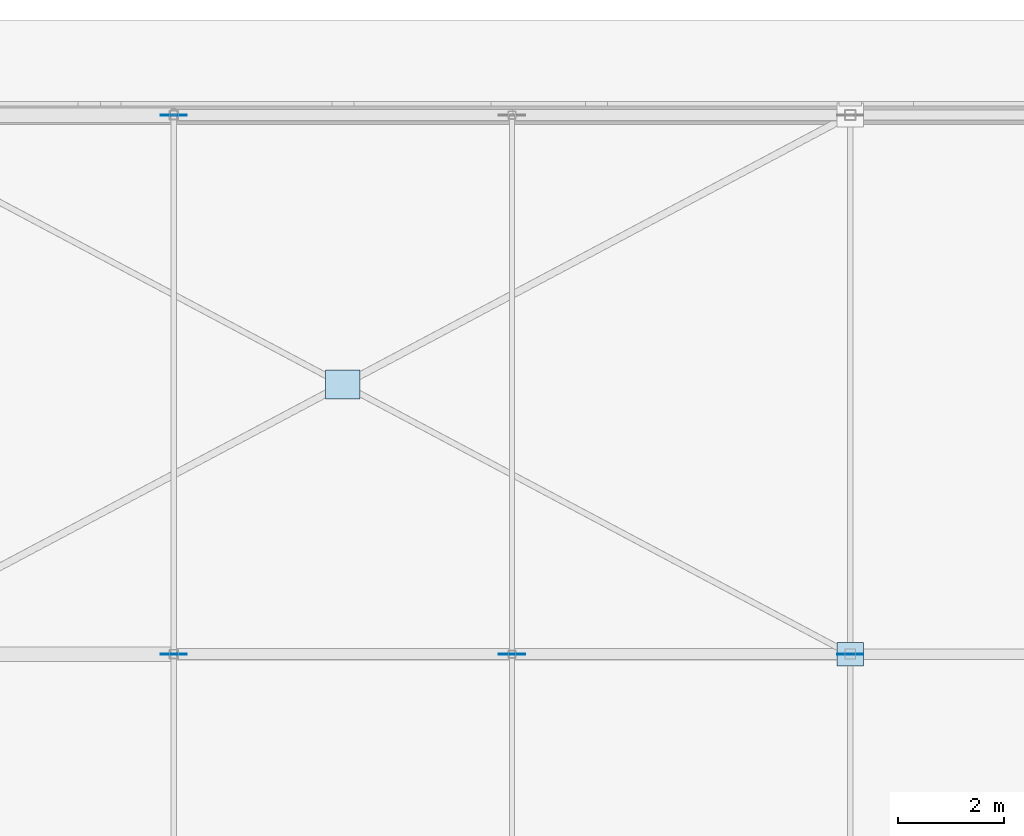
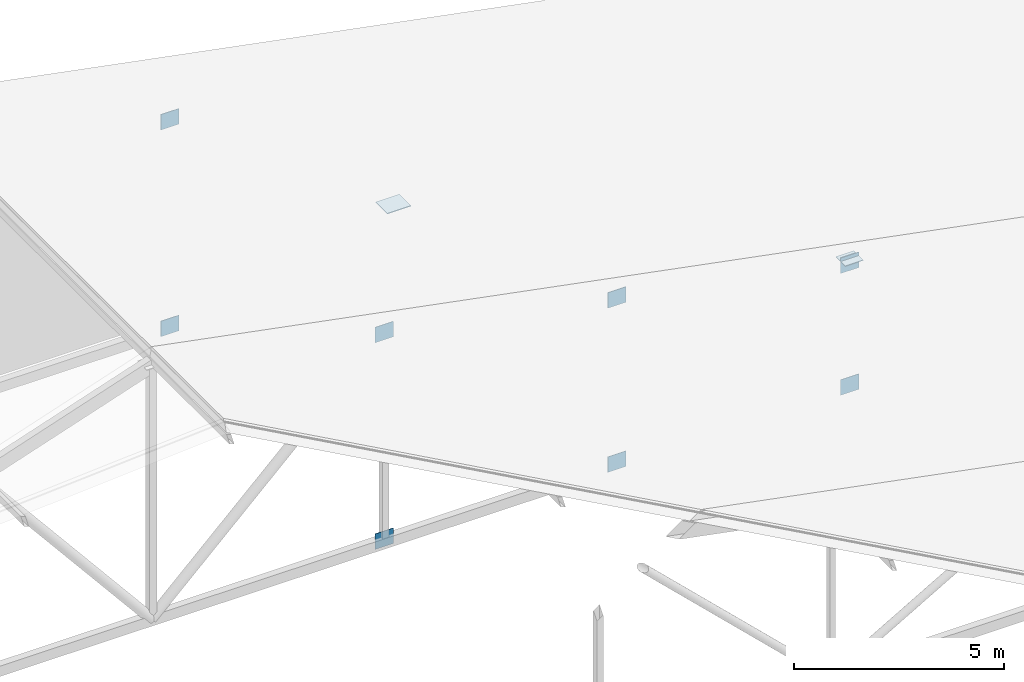
# One storey, part 164 of 200: 10 plates.
"""IFC4 building model written with IfcOpenShell, lengths in metres."""

from ifc_helpers import new_model, si_unit, direction, frame, origin, origin_2d, place, context, subcontext, project, spatial, rectangle, extrude, material, layer, layer_set, type_object, element, save


model = new_model("IFC4")

# Units and contexts
model_context = context("Model", 3, precision=1e-05, world=origin(), true_north=direction((0.0, 1.0)))
body_context = subcontext(model_context, "Body", "Model", "MODEL_VIEW")
ifc_project = project(units=[si_unit("LENGTHUNIT", "METRE"), si_unit("AREAUNIT", "SQUARE_METRE"), si_unit("VOLUMEUNIT", "CUBIC_METRE"), si_unit("PLANEANGLEUNIT", "RADIAN"), si_unit("MASSUNIT", "GRAM", prefix="KILO")], contexts=[model_context])

# Site, building, storey
site_placement = place(None, origin())
site = spatial("IfcSite", under=ifc_project, at=site_placement, CompositionType="ELEMENT")
building_placement = place(site_placement, origin())
building = spatial("IfcBuilding", under=site, at=building_placement, Name="Vondelvale Polytechnic", CompositionType="ELEMENT")
storey_placement = place(building_placement, frame((0.0, 0.0, 13.800048828125)))
storey = spatial("IfcBuildingStorey", under=building, at=storey_placement, Name="L03", CompositionType="ELEMENT", Elevation=13.800048828125)

# Plates
ifc_material = material(Name="Steel Grade 350 (fy = 340 MPa)", Category="steel")
ifc_layer_1 = layer(ifc_material, 0.01611328125)
ifc_layer_set_1 = layer_set([ifc_layer_1], Name="PLATE-GUSSET-16")
plate_type_1 = type_object("IfcPlateType", Name="PLATE-GUSSET-16", PredefinedType="USERDEFINED", material=ifc_layer_set_1)
for number, where, z_axis, x_axis, name in (
    (1, (16.0, 112.199951171875, 5.44189453125), (0.0, 0.0, 1.0), (1.0, 0.0, 0.0), "ROOF TRUSS top chord gusset node plate 3"),
    (2, (16.0, 112.199951171875, -0.56494140625), (0.0, 0.0, 1.0), (1.0, 0.0, 0.0), "ROOF TRUSS bottom chord gusset node plate 3"),
    (3, (22.39990234375, 112.199951171875, 4.20849609375), (0.0, 0.0, 1.0), (1.0, 0.0, 0.0), "ROOF TRUSS top chord gusset node plate 4"),
    (4, (22.39990234375, 112.199951171875, -0.56494140625), (0.0, 0.0, 1.0), (1.0, 0.0, 0.0), "ROOF TRUSS bottom chord gusset node plate 4"),
    (5, (28.800048828125, 112.199951171875, 2.97509765625), (0.0, 0.0, 1.0), (1.0, 0.0, 0.0), "ROOF TRUSS top chord gusset node plate 5"),
    (6, (28.800048828125, 112.199951171875, -0.56494140625), (0.0, 0.0, 1.0), (1.0, 0.0, 0.0), "ROOF TRUSS bottom chord gusset node plate 5"),
    (7, (16.0, 122.39990234375, 5.44189453125), (0.0, 0.0, 1.0), (1.0, 0.0, 0.0), "ROOF TRUSS top chord gusset node plate 3"),
    (8, (16.0, 122.39990234375, -0.56494140625), (0.0, 0.0, 1.0), (1.0, 0.0, 0.0), "ROOF TRUSS bottom chord gusset node plate 3"),
):
    element("IfcPlate", number, at=place(storey_placement, frame(where, z_axis=z_axis, x_axis=x_axis)), inside=storey, type_object=plate_type_1, Name=name, ObjectType="GUSSET_PLATE", PredefinedType="USERDEFINED", context=body_context, shape_type="SweptSolid", body=[
        extrude(rectangle(XDim=0.5, YDim=0.01611328125, at=origin_2d()), origin(), (0.0, 0.0, 1.0), 0.449951171875),
    ])
plate_1_placement = place(storey_placement, frame((28.800048828125, 112.199951171875, 3.31201171875), z_axis=(0.0, 0.0, 1.0), x_axis=(1.0, 0.0, 0.0)))
element("IfcPlate", 9, at=plate_1_placement, inside=storey, type_object=plate_type_1, Name="Workshop roof brace end gusset plate 7-3", ObjectType="GUSSET_PLATE", PredefinedType="USERDEFINED", context=body_context, shape_type="SweptSolid", body=[
    extrude(rectangle(XDim=0.5, YDim=0.449951171875, at=origin_2d()), origin(), (0.0, 0.0, 1.0), 0.01611328125),
])
ifc_layer_2 = layer(ifc_material, 0.02001953125)
ifc_layer_set_2 = layer_set([ifc_layer_2], Name="PLATE-GUSSET-20")
plate_type_2 = type_object("IfcPlateType", Name="PLATE-GUSSET-20", PredefinedType="USERDEFINED", material=ifc_layer_set_2)
plate_2_placement = place(storey_placement, frame((19.199951171875, 117.300048828125, 5.159912109375), z_axis=(0.0, 0.0, 1.0), x_axis=(1.0, 0.0, 0.0)))
element("IfcPlate", 10, at=plate_2_placement, inside=storey, type_object=plate_type_2, Name="Workshop roof X-brace crossing gusset plate 7", ObjectType="GUSSET_PLATE", PredefinedType="USERDEFINED", context=body_context, shape_type="SweptSolid", body=[
    extrude(rectangle(XDim=0.64990234375, YDim=0.550048828125, at=origin_2d()), origin(), (0.0, 0.0, 1.0), 0.02001953125),
])

save(model, "model.ifc")
